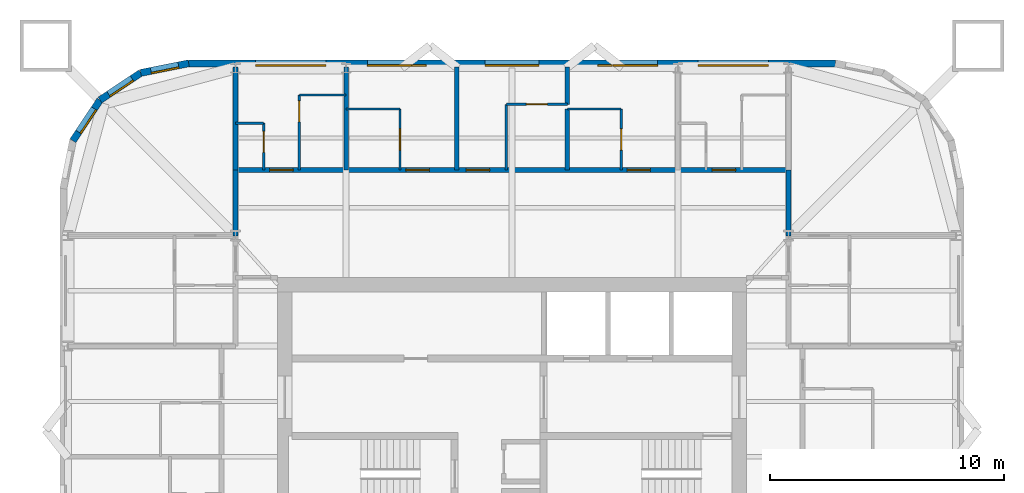
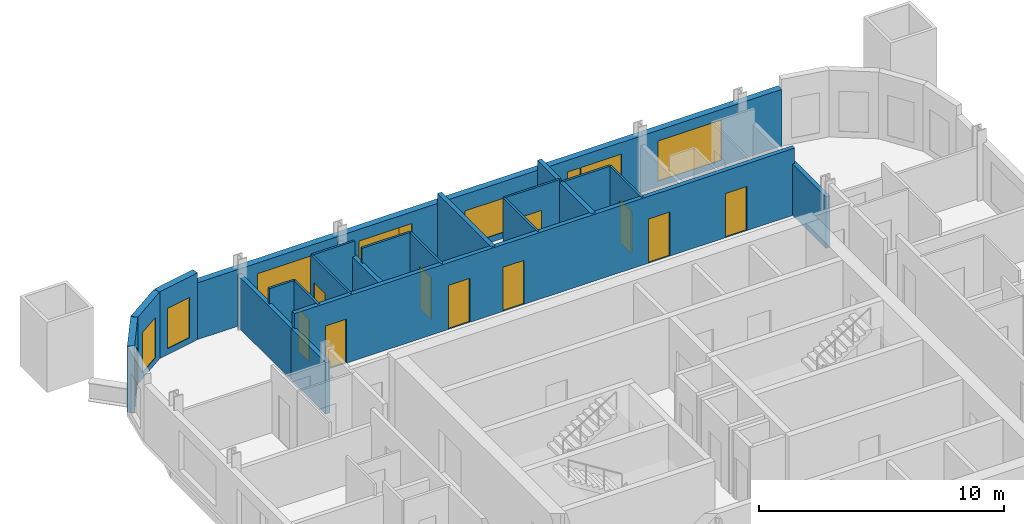
# One storey, part 7 of 9: 22 walls, 10 doors, 10 windows, 20 openings.
"""IFC4 building model written with IfcOpenShell, lengths in metres."""

from ifc_helpers import new_model, si_unit, direction, frame, frame_2d, origin, place, context, subcontext, project, spatial, rectangle, extrude, material, layer, layer_set, type_object, element, fill, save


model = new_model("IFC4")

# Units and contexts
model_context = context("Model", 3, precision=1e-05, world=origin(), true_north=direction((0.0, 1.0)))
body_context = subcontext(model_context, "Body", "Model", "MODEL_VIEW")
ifc_project = project(units=[si_unit("LENGTHUNIT", "METRE"), si_unit("AREAUNIT", "SQUARE_METRE"), si_unit("VOLUMEUNIT", "CUBIC_METRE"), si_unit("PLANEANGLEUNIT", "RADIAN"), si_unit("MASSUNIT", "GRAM", prefix="KILO")], contexts=[model_context])

# Site, building, storey
site_placement = place(None, origin())
site = spatial("IfcSite", under=ifc_project, at=site_placement, CompositionType="ELEMENT")
building_placement = place(site_placement, origin())
building = spatial("IfcBuilding", under=site, at=building_placement, Name="Turquesa Mirador Hotel Tower", CompositionType="ELEMENT")
storey_placement = place(building_placement, frame((0.0, 0.0, 186.300048828125)))
storey = spatial("IfcBuildingStorey", under=building, at=storey_placement, Name="L50", CompositionType="ELEMENT", Elevation=186.300048828125)

# Walls
ifc_material_1 = material(Name="Gypsum board on steel studs", Category="steel")
ifc_layer_1 = layer(ifc_material_1, 0.10009765625)
ifc_layer_set_1 = layer_set([ifc_layer_1], Name="BATHROOM WALL 100")
wall_type_1 = type_object("IfcWallType", Name="BATHROOM WALL 100", PredefinedType="PARTITIONING", material=ifc_layer_set_1)
wall_1_placement = place(storey_placement, frame((43.199951171875, 61.60009765625, 0.0), z_axis=(0.0, 0.0, 1.0), x_axis=(1.0, 0.0, 0.0)))
element("IfcWall", 1, at=wall_1_placement, inside=storey, type_object=wall_type_1, Name="Partition L50 024", PredefinedType="PARTITIONING", context=body_context, shape_type="SweptSolid", body=[
    extrude(rectangle(XDim=1.199951171875, YDim=0.10009765625, at=frame_2d((0.60009765625, 0.0))), origin(), (0.0, 0.0, 1.0), 3.329833984375),
])
wall_2_placement = place(storey_placement, frame((47.919921875, 62.199951171875, 0.0), z_axis=(0.0, 0.0, 1.0), x_axis=(1.0, 0.0, 0.0)))
element("IfcWall", 2, at=wall_2_placement, inside=storey, type_object=wall_type_1, Name="Partition L50 026", PredefinedType="PARTITIONING", context=body_context, shape_type="SweptSolid", body=[
    extrude(rectangle(XDim=2.300048828125, YDim=0.10009765625, at=frame_2d((1.14990234375, 0.0))), origin(), (0.0, 0.0, 1.0), 3.329833984375),
])
wall_3_placement = place(storey_placement, frame((57.360107421875, 62.199951171875, 0.0), z_axis=(0.0, 0.0, 1.0), x_axis=(1.0, 0.0, 0.0)))
element("IfcWall", 3, at=wall_3_placement, inside=storey, type_object=wall_type_1, Name="Partition L50 027", PredefinedType="PARTITIONING", context=body_context, shape_type="SweptSolid", body=[
    extrude(rectangle(XDim=2.2998046875, YDim=0.10009765625, at=frame_2d((1.14990234375, 0.0))), origin(), (0.0, 0.0, 1.0), 3.329833984375),
])

# Wall, opening, door
wall_4_placement = place(storey_placement, frame((54.760009765625, 62.39990234375, 0.0), z_axis=(0.0, 0.0, 1.0), x_axis=(1.0, 0.0, 0.0)))
wall_4 = element("IfcWall", 4, at=wall_4_placement, inside=storey, type_object=wall_type_1, Name="Partition L50 028", PredefinedType="PARTITIONING", context=body_context, shape_type="SweptSolid", body=[
    extrude(rectangle(XDim=2.60009765625, YDim=0.10009765625, at=frame_2d((1.300048828125, 0.0))), origin(), (0.0, 0.0, 1.0), 3.329833984375),
])
opening_1_placement = place(wall_4_placement, frame((0.85009765625, 0.0, 0.0)))
opening_1 = element("IfcOpeningElement", 5, at=opening_1_placement, cuts=wall_4, Name="Opening D02", PredefinedType="OPENING", context=body_context, shape_type="SweptSolid", body=[
    extrude(rectangle(XDim=0.89990234375, YDim=2.10009765625, at=frame_2d((0.449951171875, 1.050048828125))), frame((0.0, 0.06005859375, 0.0), z_axis=(0.0, -1.0, 0.0), x_axis=(1.0, 0.0, 0.0)), (0.0, 0.0, 1.0), 0.1201171875),
])
ifc_material_2 = material(Name="Timber veneered door", Category="wood")
door_type_1 = type_object("IfcDoorType", Name="DOOR 900X2100 EN-SUITE", OperationType="SINGLE_SWING_RIGHT", PredefinedType="DOOR", material=ifc_material_2)
door_1_placement = place(opening_1_placement, origin())
door_1 = element("IfcDoor", 6, at=door_1_placement, inside=storey, type_object=door_type_1, Name="Door 5003B", OperationType="SINGLE_SWING_RIGHT", OverallHeight=2.10009765625, OverallWidth=0.89990234375, PredefinedType="DOOR", context=body_context, shape_type="SweptSolid", body=[
    extrude(rectangle(XDim=0.89990234375, YDim=2.10009765625, at=frame_2d((0.449951171875, 1.050048828125))), frame((0.0, 0.02490234375, 0.0), z_axis=(0.0, -1.0, 0.0), x_axis=(1.0, 0.0, 0.0)), (0.0, 0.0, 1.0), 0.050048828125),
])
fill(opening_1, door_1)

# Walls
wall_5_placement = place(storey_placement, frame((45.919921875, 62.800048828125, 0.0), z_axis=(0.0, 0.0, 1.0), x_axis=(1.0, 0.0, 0.0)))
element("IfcWall", 7, at=wall_5_placement, inside=storey, type_object=wall_type_1, Name="Partition L50 029", PredefinedType="PARTITIONING", context=body_context, shape_type="SweptSolid", body=[
    extrude(rectangle(XDim=2.0, YDim=0.10009765625, at=frame_2d((1.0, 0.0))), origin(), (0.0, 0.0, 1.0), 3.329833984375),
])
wall_6_placement = place(storey_placement, frame((54.760009765625, 59.60009765625, 0.0), z_axis=(0.0, 0.0, 1.0), x_axis=(0.0, 1.0, 0.0)))
element("IfcWall", 8, at=wall_6_placement, inside=storey, type_object=wall_type_1, Name="Partition L50 042", PredefinedType="PARTITIONING", context=body_context, shape_type="SweptSolid", body=[
    extrude(rectangle(XDim=2.7998046875, YDim=0.10009765625, at=frame_2d((1.39990234375, 0.0))), origin(), (0.0, 0.0, 1.0), 3.329833984375),
])

# Wall, opening, door
wall_7_placement = place(storey_placement, frame((44.39990234375, 59.60009765625, 0.0), z_axis=(0.0, 0.0, 1.0), x_axis=(0.0, 1.0, 0.0)))
wall_7 = element("IfcWall", 9, at=wall_7_placement, inside=storey, type_object=wall_type_1, Name="Partition L50 043", PredefinedType="PARTITIONING", context=body_context, shape_type="SweptSolid", body=[
    extrude(rectangle(XDim=2.0, YDim=0.10009765625, at=frame_2d((1.0, 0.0))), origin(), (0.0, 0.0, 1.0), 3.329833984375),
])
opening_2_placement = place(wall_7_placement, frame((0.75, 0.0, 0.0)))
opening_2 = element("IfcOpeningElement", 10, at=opening_2_placement, cuts=wall_7, Name="Opening D06", PredefinedType="OPENING", context=body_context, shape_type="SweptSolid", body=[
    extrude(rectangle(XDim=0.89990234375, YDim=2.10009765625, at=frame_2d((0.449951171875, 1.050048828125))), frame((0.0, 0.06005859375, 0.0), z_axis=(0.0, -1.0, 0.0), x_axis=(1.0, 0.0, 0.0)), (0.0, 0.0, 1.0), 0.1201171875),
])
ifc_material_3 = material(Name="Laminate door", Category="wood")
door_type_2 = type_object("IfcDoorType", Name="DOOR 900X2100 WC", OperationType="SINGLE_SWING_LEFT", PredefinedType="DOOR", material=ifc_material_3)
door_2_placement = place(opening_2_placement, origin())
door_2 = element("IfcDoor", 11, at=door_2_placement, inside=storey, type_object=door_type_2, Name="Door 5001W", OperationType="SINGLE_SWING_LEFT", OverallHeight=2.10009765625, OverallWidth=0.89990234375, PredefinedType="DOOR", context=body_context, shape_type="SweptSolid", body=[
    extrude(rectangle(XDim=0.89990234375, YDim=2.10009765625, at=frame_2d((0.449951171875, 1.050048828125))), frame((0.0, 0.02490234375, 0.0), z_axis=(0.0, -1.0, 0.0), x_axis=(1.0, 0.0, 0.0)), (0.0, 0.0, 1.0), 0.050048828125),
])
fill(opening_2, door_2)

wall_8_placement = place(storey_placement, frame((50.219970703125, 59.60009765625, 0.0), z_axis=(0.0, 0.0, 1.0), x_axis=(0.0, 1.0, 0.0)))
wall_8 = element("IfcWall", 12, at=wall_8_placement, inside=storey, type_object=wall_type_1, Name="Partition L50 059", PredefinedType="PARTITIONING", context=body_context, shape_type="SweptSolid", body=[
    extrude(rectangle(XDim=2.599853515625, YDim=0.10009765625, at=frame_2d((1.2998046875, 0.0))), origin(), (0.0, 0.0, 1.0), 3.329833984375),
])
opening_3_placement = place(wall_8_placement, frame((0.85009765625, 0.0, 0.0)))
opening_3 = element("IfcOpeningElement", 13, at=opening_3_placement, cuts=wall_8, Name="Opening D02", PredefinedType="OPENING", context=body_context, shape_type="SweptSolid", body=[
    extrude(rectangle(XDim=0.89990234375, YDim=2.10009765625, at=frame_2d((0.449951171875, 1.050048828125))), frame((0.0, 0.06005859375, 0.0), z_axis=(0.0, -1.0, 0.0), x_axis=(1.0, 0.0, 0.0)), (0.0, 0.0, 1.0), 0.1201171875),
])
door_3_placement = place(opening_3_placement, origin())
door_3 = element("IfcDoor", 14, at=door_3_placement, inside=storey, type_object=door_type_1, Name="Door 5002B", OperationType="SINGLE_SWING_RIGHT", OverallHeight=2.10009765625, OverallWidth=0.89990234375, PredefinedType="DOOR", context=body_context, shape_type="SweptSolid", body=[
    extrude(rectangle(XDim=0.89990234375, YDim=2.10009765625, at=frame_2d((0.449951171875, 1.050048828125))), frame((0.0, 0.02490234375, 0.0), z_axis=(0.0, -1.0, 0.0), x_axis=(1.0, 0.0, 0.0)), (0.0, 0.0, 1.0), 0.050048828125),
])
fill(opening_3, door_3)

wall_9_placement = place(storey_placement, frame((45.919921875, 59.60009765625, 0.0), z_axis=(0.0, 0.0, 1.0), x_axis=(0.0, 1.0, 0.0)))
wall_9 = element("IfcWall", 15, at=wall_9_placement, inside=storey, type_object=wall_type_1, Name="Partition L50 061", PredefinedType="PARTITIONING", context=body_context, shape_type="SweptSolid", body=[
    extrude(rectangle(XDim=3.199951171875, YDim=0.10009765625, at=frame_2d((1.60009765625, 0.0))), origin(), (0.0, 0.0, 1.0), 3.329833984375),
])
opening_4_placement = place(wall_9_placement, frame((2.050048828125, 0.0, 0.0)))
opening_4 = element("IfcOpeningElement", 16, at=opening_4_placement, cuts=wall_9, Name="Opening D02", PredefinedType="OPENING", context=body_context, shape_type="SweptSolid", body=[
    extrude(rectangle(XDim=0.89990234375, YDim=2.10009765625, at=frame_2d((0.449951171875, 1.050048828125))), frame((0.0, 0.06005859375, 0.0), z_axis=(0.0, -1.0, 0.0), x_axis=(1.0, 0.0, 0.0)), (0.0, 0.0, 1.0), 0.1201171875),
])
door_4_placement = place(opening_4_placement, origin())
door_4 = element("IfcDoor", 17, at=door_4_placement, inside=storey, type_object=door_type_1, Name="Door 5001B", OperationType="SINGLE_SWING_RIGHT", OverallHeight=2.10009765625, OverallWidth=0.89990234375, PredefinedType="DOOR", context=body_context, shape_type="SweptSolid", body=[
    extrude(rectangle(XDim=0.89990234375, YDim=2.10009765625, at=frame_2d((0.449951171875, 1.050048828125))), frame((0.0, 0.02490234375, 0.0), z_axis=(0.0, -1.0, 0.0), x_axis=(1.0, 0.0, 0.0)), (0.0, 0.0, 1.0), 0.050048828125),
])
fill(opening_4, door_4)

wall_10_placement = place(storey_placement, frame((59.659912109375, 59.60009765625, 0.0), z_axis=(0.0, 0.0, 1.0), x_axis=(0.0, 1.0, 0.0)))
wall_10 = element("IfcWall", 18, at=wall_10_placement, inside=storey, type_object=wall_type_1, Name="Partition L50 079", PredefinedType="PARTITIONING", context=body_context, shape_type="SweptSolid", body=[
    extrude(rectangle(XDim=2.599853515625, YDim=0.10009765625, at=frame_2d((1.2998046875, 0.0))), origin(), (0.0, 0.0, 1.0), 3.329833984375),
])
opening_5_placement = place(wall_10_placement, frame((0.85009765625, 0.0, 0.0)))
opening_5 = element("IfcOpeningElement", 19, at=opening_5_placement, cuts=wall_10, Name="Opening D02", PredefinedType="OPENING", context=body_context, shape_type="SweptSolid", body=[
    extrude(rectangle(XDim=0.89990234375, YDim=2.10009765625, at=frame_2d((0.449951171875, 1.050048828125))), frame((0.0, 0.06005859375, 0.0), z_axis=(0.0, -1.0, 0.0), x_axis=(1.0, 0.0, 0.0)), (0.0, 0.0, 1.0), 0.1201171875),
])
door_5_placement = place(opening_5_placement, origin())
door_5 = element("IfcDoor", 20, at=door_5_placement, inside=storey, type_object=door_type_1, Name="Door 5004B", OperationType="SINGLE_SWING_RIGHT", OverallHeight=2.10009765625, OverallWidth=0.89990234375, PredefinedType="DOOR", context=body_context, shape_type="SweptSolid", body=[
    extrude(rectangle(XDim=0.89990234375, YDim=2.10009765625, at=frame_2d((0.449951171875, 1.050048828125))), frame((0.0, 0.02490234375, 0.0), z_axis=(0.0, -1.0, 0.0), x_axis=(1.0, 0.0, 0.0)), (0.0, 0.0, 1.0), 0.050048828125),
])
fill(opening_5, door_5)

# Wall, openings, doors
ifc_material_4 = material(Name="Fire-rated gypsum board on steel studs", Category="steel")
ifc_layer_2 = layer(ifc_material_4, 0.199951171875)
ifc_layer_set_2 = layer_set([ifc_layer_2], Name="CORRIDOR WALL 200")
wall_type_2 = type_object("IfcWallType", Name="CORRIDOR WALL 200", PredefinedType="PARTITIONING", material=ifc_layer_set_2)
wall_11_placement = place(storey_placement, frame((43.199951171875, 59.60009765625, 0.0), z_axis=(0.0, 0.0, 1.0), x_axis=(1.0, 0.0, 0.0)))
wall_11 = element("IfcWall", 21, at=wall_11_placement, inside=storey, type_object=wall_type_2, Name="Partition L50 023", PredefinedType="PARTITIONING", context=body_context, shape_type="SweptSolid", body=[
    extrude(rectangle(XDim=23.60009765625, YDim=0.199951171875, at=frame_2d((11.800048828125, 0.0))), origin(), (0.0, 0.0, 1.0), 3.329833984375),
])
opening_6_placement = place(wall_11_placement, frame((1.4599609375, 0.0, 0.0)))
opening_6 = element("IfcOpeningElement", 22, at=opening_6_placement, cuts=wall_11, Name="Opening D01", PredefinedType="OPENING", context=body_context, shape_type="SweptSolid", body=[
    extrude(rectangle(XDim=1.0, YDim=2.199951171875, at=frame_2d((0.5, 1.10009765625))), frame((0.0, 0.10986328125, 0.0), z_axis=(0.0, -1.0, 0.0), x_axis=(1.0, 0.0, 0.0)), (0.0, 0.0, 1.0), 0.219970703125),
])
opening_7_placement = place(wall_11_placement, frame((7.27001953125, 0.0, 0.0)))
opening_7 = element("IfcOpeningElement", 23, at=opening_7_placement, cuts=wall_11, Name="Opening D01", PredefinedType="OPENING", context=body_context, shape_type="SweptSolid", body=[
    extrude(rectangle(XDim=1.0, YDim=2.199951171875, at=frame_2d((0.5, 1.10009765625))), frame((0.0, 0.10986328125, 0.0), z_axis=(0.0, -1.0, 0.0), x_axis=(1.0, 0.0, 0.0)), (0.0, 0.0, 1.0), 0.219970703125),
])
opening_8_placement = place(wall_11_placement, frame((9.840087890625, 0.0, 0.0)))
opening_8 = element("IfcOpeningElement", 24, at=opening_8_placement, cuts=wall_11, Name="Opening D01", PredefinedType="OPENING", context=body_context, shape_type="SweptSolid", body=[
    extrude(rectangle(XDim=1.0, YDim=2.199951171875, at=frame_2d((0.5, 1.10009765625))), frame((0.0, 0.10986328125, 0.0), z_axis=(0.0, -1.0, 0.0), x_axis=(1.0, 0.0, 0.0)), (0.0, 0.0, 1.0), 0.219970703125),
])
opening_9_placement = place(wall_11_placement, frame((16.7099609375, 0.0, 0.0)))
opening_9 = element("IfcOpeningElement", 25, at=opening_9_placement, cuts=wall_11, Name="Opening D01", PredefinedType="OPENING", context=body_context, shape_type="SweptSolid", body=[
    extrude(rectangle(XDim=1.0, YDim=2.199951171875, at=frame_2d((0.5, 1.10009765625))), frame((0.0, 0.10986328125, 0.0), z_axis=(0.0, -1.0, 0.0), x_axis=(1.0, 0.0, 0.0)), (0.0, 0.0, 1.0), 0.219970703125),
])
opening_10_placement = place(wall_11_placement, frame((20.340087890625, 0.0, 0.0)))
opening_10 = element("IfcOpeningElement", 26, at=opening_10_placement, cuts=wall_11, Name="Opening D01", PredefinedType="OPENING", context=body_context, shape_type="SweptSolid", body=[
    extrude(rectangle(XDim=1.0, YDim=2.199951171875, at=frame_2d((0.5, 1.10009765625))), frame((0.0, 0.10986328125, 0.0), z_axis=(0.0, -1.0, 0.0), x_axis=(1.0, 0.0, 0.0)), (0.0, 0.0, 1.0), 0.219970703125),
])
ifc_material_5 = material(Name="Timber veneered fire door", Category="wood")
door_type_3 = type_object("IfcDoorType", Name="DOOR 1000X2200 GUEST ENTRY", OperationType="SINGLE_SWING_LEFT", PredefinedType="DOOR", material=ifc_material_5)
door_6_placement = place(opening_6_placement, origin())
door_6 = element("IfcDoor", 27, at=door_6_placement, inside=storey, type_object=door_type_3, Name="Door 5001", OperationType="SINGLE_SWING_LEFT", OverallHeight=2.199951171875, OverallWidth=1.0, PredefinedType="DOOR", context=body_context, shape_type="SweptSolid", body=[
    extrude(rectangle(XDim=1.0, YDim=2.199951171875, at=frame_2d((0.5, 1.10009765625))), frame((0.0, 0.02490234375, 0.0), z_axis=(0.0, -1.0, 0.0), x_axis=(1.0, 0.0, 0.0)), (0.0, 0.0, 1.0), 0.050048828125),
])
fill(opening_6, door_6)
door_7_placement = place(opening_7_placement, origin())
door_7 = element("IfcDoor", 28, at=door_7_placement, inside=storey, type_object=door_type_3, Name="Door 5002", OperationType="SINGLE_SWING_LEFT", OverallHeight=2.199951171875, OverallWidth=1.0, PredefinedType="DOOR", context=body_context, shape_type="SweptSolid", body=[
    extrude(rectangle(XDim=1.0, YDim=2.199951171875, at=frame_2d((0.5, 1.10009765625))), frame((0.0, 0.02490234375, 0.0), z_axis=(0.0, -1.0, 0.0), x_axis=(1.0, 0.0, 0.0)), (0.0, 0.0, 1.0), 0.050048828125),
])
fill(opening_7, door_7)
door_8_placement = place(opening_8_placement, origin())
door_8 = element("IfcDoor", 29, at=door_8_placement, inside=storey, type_object=door_type_3, Name="Door 5003", OperationType="SINGLE_SWING_LEFT", OverallHeight=2.199951171875, OverallWidth=1.0, PredefinedType="DOOR", context=body_context, shape_type="SweptSolid", body=[
    extrude(rectangle(XDim=1.0, YDim=2.199951171875, at=frame_2d((0.5, 1.10009765625))), frame((0.0, 0.02490234375, 0.0), z_axis=(0.0, -1.0, 0.0), x_axis=(1.0, 0.0, 0.0)), (0.0, 0.0, 1.0), 0.050048828125),
])
fill(opening_8, door_8)
door_9_placement = place(opening_9_placement, origin())
door_9 = element("IfcDoor", 30, at=door_9_placement, inside=storey, type_object=door_type_3, Name="Door 5004", OperationType="SINGLE_SWING_LEFT", OverallHeight=2.199951171875, OverallWidth=1.0, PredefinedType="DOOR", context=body_context, shape_type="SweptSolid", body=[
    extrude(rectangle(XDim=1.0, YDim=2.199951171875, at=frame_2d((0.5, 1.10009765625))), frame((0.0, 0.02490234375, 0.0), z_axis=(0.0, -1.0, 0.0), x_axis=(1.0, 0.0, 0.0)), (0.0, 0.0, 1.0), 0.050048828125),
])
fill(opening_9, door_9)
door_10_placement = place(opening_10_placement, origin())
door_10 = element("IfcDoor", 31, at=door_10_placement, inside=storey, type_object=door_type_3, Name="Door 5005", OperationType="SINGLE_SWING_LEFT", OverallHeight=2.199951171875, OverallWidth=1.0, PredefinedType="DOOR", context=body_context, shape_type="SweptSolid", body=[
    extrude(rectangle(XDim=1.0, YDim=2.199951171875, at=frame_2d((0.5, 1.10009765625))), frame((0.0, 0.02490234375, 0.0), z_axis=(0.0, -1.0, 0.0), x_axis=(1.0, 0.0, 0.0)), (0.0, 0.0, 1.0), 0.050048828125),
])
fill(opening_10, door_10)

# Walls
for number, where, z_axis, x_axis, name in (
    (32, (43.199951171875, 56.780029296875, 0.0), (0.0, 0.0, 1.0), (0.0, 1.0, 0.0), "Partition L50 085"),
    (33, (66.800048828125, 56.780029296875, 0.0), (0.0, 0.0, 1.0), (0.0, 1.0, 0.0), "Partition L50 086"),
):
    element("IfcWall", number, at=place(storey_placement, frame(where, z_axis=z_axis, x_axis=x_axis)), inside=storey, type_object=wall_type_2, Name=name, PredefinedType="PARTITIONING", context=body_context, shape_type="SweptSolid", body=[
        extrude(rectangle(XDim=2.820068359375, YDim=0.199951171875, at=frame_2d((1.41015625, 0.0))), origin(), (0.0, 0.0, 1.0), 2.572998046875),
    ])

# Wall, openings, windows
ifc_material_6 = material(Name="Limestone cladding on concrete block", Category="masonry")
ifc_layer_3 = layer(ifc_material_6, 0.300048828125)
ifc_layer_set_3 = layer_set([ifc_layer_3], Name="FACADE WALL 300 STONE SCREEN")
wall_type_3 = type_object("IfcWallType", Name="FACADE WALL 300 STONE SCREEN", PredefinedType="SOLIDWALL", material=ifc_layer_set_3)
wall_12_placement = place(storey_placement, frame((68.800048828125, 64.14990234375, 0.0), z_axis=(0.0, 0.0, 1.0), x_axis=(-1.0, 0.0, 0.0)))
wall_12 = element("IfcWall", 34, at=wall_12_placement, inside=storey, type_object=wall_type_3, Name="Facade wall L50 09", PredefinedType="SOLIDWALL", context=body_context, shape_type="SweptSolid", body=[
    extrude(rectangle(XDim=27.60009765625, YDim=0.300048828125, at=frame_2d((13.800048828125, 0.0))), origin(), (0.0, 0.0, 1.0), 2.829833984375),
])
opening_11_placement = place(wall_12_placement, frame((2.860107421875, 0.0, 0.300048828125)))
opening_11 = element("IfcOpeningElement", 35, at=opening_11_placement, cuts=wall_12, Name="Opening WN1", PredefinedType="OPENING", context=body_context, shape_type="SweptSolid", body=[
    extrude(rectangle(XDim=3.0, YDim=2.0, at=frame_2d((1.5, 1.0))), frame((0.0, 0.159912109375, 0.0), z_axis=(0.0, -1.0, 0.0), x_axis=(1.0, 0.0, 0.0)), (0.0, 0.0, 1.0), 0.320068359375),
])
opening_12_placement = place(wall_12_placement, frame((7.580078125, 0.0, 0.35009765625)))
opening_12 = element("IfcOpeningElement", 36, at=opening_12_placement, cuts=wall_12, Name="Opening WN48", PredefinedType="OPENING", context=body_context, shape_type="SweptSolid", body=[
    extrude(rectangle(XDim=1.89990234375, YDim=1.89990234375, at=frame_2d((0.949951171875, 0.949951171875))), frame((0.0, 0.159912109375, 0.0), z_axis=(0.0, -1.0, 0.0), x_axis=(1.0, 0.0, 0.0)), (0.0, 0.0, 1.0), 0.320068359375),
])
opening_13_placement = place(wall_12_placement, frame((12.64990234375, 0.0, 0.300048828125)))
opening_13 = element("IfcOpeningElement", 37, at=opening_13_placement, cuts=wall_12, Name="Opening WN51", PredefinedType="OPENING", context=body_context, shape_type="SweptSolid", body=[
    extrude(rectangle(XDim=2.300048828125, YDim=1.699951171875, at=frame_2d((1.14990234375, 0.85009765625))), frame((0.0, 0.159912109375, 0.0), z_axis=(0.0, -1.0, 0.0), x_axis=(1.0, 0.0, 0.0)), (0.0, 0.0, 1.0), 0.320068359375),
])
opening_14_placement = place(wall_12_placement, frame((18.070068359375, 0.0, 0.35009765625)))
opening_14 = element("IfcOpeningElement", 38, at=opening_14_placement, cuts=wall_12, Name="Opening WN48", PredefinedType="OPENING", context=body_context, shape_type="SweptSolid", body=[
    extrude(rectangle(XDim=1.89990234375, YDim=1.89990234375, at=frame_2d((0.949951171875, 0.949951171875))), frame((0.0, 0.159912109375, 0.0), z_axis=(0.0, -1.0, 0.0), x_axis=(1.0, 0.0, 0.0)), (0.0, 0.0, 1.0), 0.320068359375),
])
opening_15_placement = place(wall_12_placement, frame((21.739990234375, 0.0, 0.300048828125)))
opening_15 = element("IfcOpeningElement", 39, at=opening_15_placement, cuts=wall_12, Name="Opening WN1", PredefinedType="OPENING", context=body_context, shape_type="SweptSolid", body=[
    extrude(rectangle(XDim=3.0, YDim=2.0, at=frame_2d((1.5, 1.0))), frame((0.0, 0.159912109375, 0.0), z_axis=(0.0, -1.0, 0.0), x_axis=(1.0, 0.0, 0.0)), (0.0, 0.0, 1.0), 0.320068359375),
])
opening_16_placement = place(wall_12_placement, frame((9.530029296875, 0.0, 1.25)))
opening_16 = element("IfcOpeningElement", 40, at=opening_16_placement, cuts=wall_12, Name="Opening WN29", PredefinedType="OPENING", context=body_context, shape_type="SweptSolid", body=[
    extrude(rectangle(XDim=0.60009765625, YDim=1.0, at=frame_2d((0.300048828125, 0.5))), frame((0.0, 0.159912109375, 0.0), z_axis=(0.0, -1.0, 0.0), x_axis=(1.0, 0.0, 0.0)), (0.0, 0.0, 1.0), 0.320068359375),
])
opening_17_placement = place(wall_12_placement, frame((17.469970703125, 0.0, 1.25)))
opening_17 = element("IfcOpeningElement", 41, at=opening_17_placement, cuts=wall_12, Name="Opening WN29", PredefinedType="OPENING", context=body_context, shape_type="SweptSolid", body=[
    extrude(rectangle(XDim=0.60009765625, YDim=1.0, at=frame_2d((0.300048828125, 0.5))), frame((0.0, 0.159912109375, 0.0), z_axis=(0.0, -1.0, 0.0), x_axis=(1.0, 0.0, 0.0)), (0.0, 0.0, 1.0), 0.320068359375),
])
ifc_material_7 = material(Name="Ceramic-fritted laminated glass", Category="glass")
window_type_1 = type_object("IfcWindowType", Name="FRITTED WINDOW 1900X1900", PartitioningType="DOUBLE_PANEL_HORIZONTAL", PredefinedType="WINDOW", material=ifc_material_7)
window_1_placement = place(opening_12_placement, origin())
window_1 = element("IfcWindow", 42, at=window_1_placement, inside=storey, type_object=window_type_1, Name="Window L50", OverallHeight=1.89990234375, OverallWidth=1.89990234375, PartitioningType="SINGLE_PANEL", PredefinedType="WINDOW", context=body_context, shape_type="SweptSolid", body=[
    extrude(rectangle(XDim=1.89990234375, YDim=1.89990234375, at=frame_2d((0.949951171875, 0.949951171875))), frame((0.0, 0.130126953125, 0.0), z_axis=(0.0, -1.0, 0.0), x_axis=(1.0, 0.0, 0.0)), (0.0, 0.0, 1.0), 0.06005859375),
])
fill(opening_12, window_1)
window_2_placement = place(opening_14_placement, origin())
window_2 = element("IfcWindow", 43, at=window_2_placement, inside=storey, type_object=window_type_1, Name="Window L50", OverallHeight=1.89990234375, OverallWidth=1.89990234375, PartitioningType="SINGLE_PANEL", PredefinedType="WINDOW", context=body_context, shape_type="SweptSolid", body=[
    extrude(rectangle(XDim=1.89990234375, YDim=1.89990234375, at=frame_2d((0.949951171875, 0.949951171875))), frame((0.0, 0.130126953125, 0.0), z_axis=(0.0, -1.0, 0.0), x_axis=(1.0, 0.0, 0.0)), (0.0, 0.0, 1.0), 0.06005859375),
])
fill(opening_14, window_2)
ifc_material_8 = material(Name="Ceramic-fritted laminated glass", Category="glass")
window_type_2 = type_object("IfcWindowType", Name="FRITTED WINDOW 2300X1700", PartitioningType="DOUBLE_PANEL_HORIZONTAL", PredefinedType="WINDOW", material=ifc_material_8)
window_3_placement = place(opening_13_placement, origin())
window_3 = element("IfcWindow", 44, at=window_3_placement, inside=storey, type_object=window_type_2, Name="Window L50", OverallHeight=1.699951171875, OverallWidth=2.300048828125, PartitioningType="SINGLE_PANEL", PredefinedType="WINDOW", context=body_context, shape_type="SweptSolid", body=[
    extrude(rectangle(XDim=2.300048828125, YDim=1.699951171875, at=frame_2d((1.14990234375, 0.85009765625))), frame((0.0, 0.130126953125, 0.0), z_axis=(0.0, -1.0, 0.0), x_axis=(1.0, 0.0, 0.0)), (0.0, 0.0, 1.0), 0.06005859375),
])
fill(opening_13, window_3)
ifc_material_9 = material(Name="Ceramic-fritted laminated glass", Category="glass")
window_type_3 = type_object("IfcWindowType", Name="FRITTED WINDOW 3000X2000", PartitioningType="DOUBLE_PANEL_HORIZONTAL", PredefinedType="WINDOW", material=ifc_material_9)
window_4_placement = place(opening_11_placement, origin())
window_4 = element("IfcWindow", 45, at=window_4_placement, inside=storey, type_object=window_type_3, Name="Window L50", OverallHeight=2.0, OverallWidth=3.0, PartitioningType="SINGLE_PANEL", PredefinedType="WINDOW", context=body_context, shape_type="SweptSolid", body=[
    extrude(rectangle(XDim=3.0, YDim=2.0, at=frame_2d((1.5, 1.0))), frame((0.0, 0.130126953125, 0.0), z_axis=(0.0, -1.0, 0.0), x_axis=(1.0, 0.0, 0.0)), (0.0, 0.0, 1.0), 0.06005859375),
])
fill(opening_11, window_4)
window_5_placement = place(opening_15_placement, origin())
window_5 = element("IfcWindow", 46, at=window_5_placement, inside=storey, type_object=window_type_3, Name="Window L50", OverallHeight=2.0, OverallWidth=3.0, PartitioningType="SINGLE_PANEL", PredefinedType="WINDOW", context=body_context, shape_type="SweptSolid", body=[
    extrude(rectangle(XDim=3.0, YDim=2.0, at=frame_2d((1.5, 1.0))), frame((0.0, 0.130126953125, 0.0), z_axis=(0.0, -1.0, 0.0), x_axis=(1.0, 0.0, 0.0)), (0.0, 0.0, 1.0), 0.06005859375),
])
fill(opening_15, window_5)
ifc_material_10 = material(Name="Ceramic-fritted laminated glass", Category="glass")
window_type_4 = type_object("IfcWindowType", Name="FRITTED WINDOW 600X1000", PartitioningType="DOUBLE_PANEL_HORIZONTAL", PredefinedType="WINDOW", material=ifc_material_10)
window_6_placement = place(opening_16_placement, origin())
window_6 = element("IfcWindow", 47, at=window_6_placement, inside=storey, type_object=window_type_4, Name="Window L50", OverallHeight=1.0, OverallWidth=0.60009765625, PartitioningType="SINGLE_PANEL", PredefinedType="WINDOW", context=body_context, shape_type="SweptSolid", body=[
    extrude(rectangle(XDim=0.60009765625, YDim=1.0, at=frame_2d((0.300048828125, 0.5))), frame((0.0, 0.130126953125, 0.0), z_axis=(0.0, -1.0, 0.0), x_axis=(1.0, 0.0, 0.0)), (0.0, 0.0, 1.0), 0.06005859375),
])
fill(opening_16, window_6)
window_7_placement = place(opening_17_placement, origin())
window_7 = element("IfcWindow", 48, at=window_7_placement, inside=storey, type_object=window_type_4, Name="Window L50", OverallHeight=1.0, OverallWidth=0.60009765625, PartitioningType="SINGLE_PANEL", PredefinedType="WINDOW", context=body_context, shape_type="SweptSolid", body=[
    extrude(rectangle(XDim=0.60009765625, YDim=1.0, at=frame_2d((0.300048828125, 0.5))), frame((0.0, 0.130126953125, 0.0), z_axis=(0.0, -1.0, 0.0), x_axis=(1.0, 0.0, 0.0)), (0.0, 0.0, 1.0), 0.06005859375),
])
fill(opening_17, window_7)

# Wall, opening, window
wall_13_placement = place(storey_placement, frame((41.199951171875, 64.14990234375, 0.0), z_axis=(0.0, 0.0, 1.0), x_axis=(-0.980787050784, -0.195081421501, 0.0)))
wall_13 = element("IfcWall", 49, at=wall_13_placement, inside=storey, type_object=wall_type_3, Name="Facade wall L50 10", PredefinedType="SOLIDWALL", context=body_context, shape_type="SweptSolid", body=[
    extrude(rectangle(XDim=2.08740234375, YDim=0.300048828125, at=frame_2d((1.043701171875, 0.0))), origin(), (0.0, 0.0, 1.0), 3.329833984375),
])
opening_18_placement = place(wall_13_placement, frame((0.443603515625, 0.0, 0.300048828125)))
opening_18 = element("IfcOpeningElement", 50, at=opening_18_placement, cuts=wall_13, Name="Opening WN4", PredefinedType="OPENING", context=body_context, shape_type="SweptSolid", body=[
    extrude(rectangle(XDim=1.199951171875, YDim=2.0, at=frame_2d((0.60009765625, 1.0))), frame((0.0, 0.159912109375, 0.0), z_axis=(0.0, -1.0, 0.0), x_axis=(1.0, 0.0, 0.0)), (0.0, 0.0, 1.0), 0.320068359375),
])
ifc_material_11 = material(Name="Ceramic-fritted laminated glass", Category="glass")
window_type_5 = type_object("IfcWindowType", Name="FRITTED CORNER WINDOW 1200X2000", PartitioningType="DOUBLE_PANEL_HORIZONTAL", PredefinedType="WINDOW", material=ifc_material_11)
window_8_placement = place(opening_18_placement, origin())
window_8 = element("IfcWindow", 51, at=window_8_placement, inside=storey, type_object=window_type_5, Name="Window L50", OverallHeight=2.0, OverallWidth=1.199951171875, PartitioningType="SINGLE_PANEL", PredefinedType="WINDOW", context=body_context, shape_type="SweptSolid", body=[
    extrude(rectangle(XDim=1.199951171875, YDim=2.0, at=frame_2d((0.60009765625, 1.0))), frame((0.0, 0.130126953125, 0.0), z_axis=(0.0, -1.0, 0.0), x_axis=(1.0, 0.0, 0.0)), (0.0, 0.0, 1.0), 0.06005859375),
])
fill(opening_18, window_8)

wall_14_placement = place(storey_placement, frame((39.152587890625, 63.74267578125, 0.0), z_axis=(0.0, 0.0, 1.0), x_axis=(-0.831474039234, -0.555563607591, 0.0)))
wall_14 = element("IfcWall", 52, at=wall_14_placement, inside=storey, type_object=wall_type_3, Name="Facade wall L50 11", PredefinedType="SOLIDWALL", context=body_context, shape_type="SweptSolid", body=[
    extrude(rectangle(XDim=2.08740234375, YDim=0.300048828125, at=frame_2d((1.043701171875, 0.0))), origin(), (0.0, 0.0, 1.0), 3.329833984375),
])
opening_19_placement = place(wall_14_placement, frame((0.443603515625, 0.0, 0.300048828125)))
opening_19 = element("IfcOpeningElement", 53, at=opening_19_placement, cuts=wall_14, Name="Opening WN4", PredefinedType="OPENING", context=body_context, shape_type="SweptSolid", body=[
    extrude(rectangle(XDim=1.199951171875, YDim=2.0, at=frame_2d((0.60009765625, 1.0))), frame((0.0, 0.159912109375, 0.0), z_axis=(0.0, -1.0, 0.0), x_axis=(1.0, 0.0, 0.0)), (0.0, 0.0, 1.0), 0.320068359375),
])
window_9_placement = place(opening_19_placement, origin())
window_9 = element("IfcWindow", 54, at=window_9_placement, inside=storey, type_object=window_type_5, Name="Window L50", OverallHeight=2.0, OverallWidth=1.199951171875, PartitioningType="SINGLE_PANEL", PredefinedType="WINDOW", context=body_context, shape_type="SweptSolid", body=[
    extrude(rectangle(XDim=1.199951171875, YDim=2.0, at=frame_2d((0.60009765625, 1.0))), frame((0.0, 0.130126953125, 0.0), z_axis=(0.0, -1.0, 0.0), x_axis=(1.0, 0.0, 0.0)), (0.0, 0.0, 1.0), 0.06005859375),
])
fill(opening_19, window_9)

wall_15_placement = place(storey_placement, frame((37.4169921875, 62.5830078125, 0.0), z_axis=(0.0, 0.0, 1.0), x_axis=(-0.555563607591, -0.831474039234, 0.0)))
wall_15 = element("IfcWall", 55, at=wall_15_placement, inside=storey, type_object=wall_type_3, Name="Facade wall L50 12", PredefinedType="SOLIDWALL", context=body_context, shape_type="SweptSolid", body=[
    extrude(rectangle(XDim=2.08740234375, YDim=0.300048828125, at=frame_2d((1.043701171875, 0.0))), origin(), (0.0, 0.0, 1.0), 3.329833984375),
])
opening_20_placement = place(wall_15_placement, frame((0.443603515625, 0.0, 0.300048828125)))
opening_20 = element("IfcOpeningElement", 56, at=opening_20_placement, cuts=wall_15, Name="Opening WN4", PredefinedType="OPENING", context=body_context, shape_type="SweptSolid", body=[
    extrude(rectangle(XDim=1.199951171875, YDim=2.0, at=frame_2d((0.60009765625, 1.0))), frame((0.0, 0.159912109375, 0.0), z_axis=(0.0, -1.0, 0.0), x_axis=(1.0, 0.0, 0.0)), (0.0, 0.0, 1.0), 0.320068359375),
])
window_10_placement = place(opening_20_placement, origin())
window_10 = element("IfcWindow", 57, at=window_10_placement, inside=storey, type_object=window_type_5, Name="Window L50", OverallHeight=2.0, OverallWidth=1.199951171875, PartitioningType="SINGLE_PANEL", PredefinedType="WINDOW", context=body_context, shape_type="SweptSolid", body=[
    extrude(rectangle(XDim=1.199951171875, YDim=2.0, at=frame_2d((0.60009765625, 1.0))), frame((0.0, 0.130126953125, 0.0), z_axis=(0.0, -1.0, 0.0), x_axis=(1.0, 0.0, 0.0)), (0.0, 0.0, 1.0), 0.06005859375),
])
fill(opening_20, window_10)

# Walls
ifc_material_12 = material(Name="Fire-rated gypsum board on steel studs", Category="steel")
ifc_layer_4 = layer(ifc_material_12, 0.199951171875)
ifc_layer_set_4 = layer_set([ifc_layer_4], Name="PARTY WALL 200")
wall_type_4 = type_object("IfcWallType", Name="PARTY WALL 200", PredefinedType="PARTITIONING", material=ifc_layer_set_4)
wall_16_placement = place(storey_placement, frame((43.199951171875, 59.60009765625, 0.0), z_axis=(0.0, 0.0, 1.0), x_axis=(0.0, 1.0, 0.0)))
element("IfcWall", 58, at=wall_16_placement, inside=storey, type_object=wall_type_4, Name="Partition L50 047", PredefinedType="PARTITIONING", context=body_context, shape_type="SweptSolid", body=[
    extrude(rectangle(XDim=4.39990234375, YDim=0.199951171875, at=frame_2d((2.199951171875, 0.0))), origin(), (0.0, 0.0, 1.0), 2.572998046875),
])
wall_17_placement = place(storey_placement, frame((52.639892578125, 59.60009765625, 0.0), z_axis=(0.0, 0.0, 1.0), x_axis=(0.0, 1.0, 0.0)))
element("IfcWall", 59, at=wall_17_placement, inside=storey, type_object=wall_type_4, Name="Partition L50 057", PredefinedType="PARTITIONING", context=body_context, shape_type="SweptSolid", body=[
    extrude(rectangle(XDim=4.39990234375, YDim=0.199951171875, at=frame_2d((2.199951171875, 0.0))), origin(), (0.0, 0.0, 1.0), 3.329833984375),
])
wall_18_placement = place(storey_placement, frame((47.919921875, 59.60009765625, 0.0), z_axis=(0.0, 0.0, 1.0), x_axis=(0.0, 1.0, 0.0)))
element("IfcWall", 60, at=wall_18_placement, inside=storey, type_object=wall_type_4, Name="Partition L50 060", PredefinedType="PARTITIONING", context=body_context, shape_type="SweptSolid", body=[
    extrude(rectangle(XDim=4.39990234375, YDim=0.199951171875, at=frame_2d((2.199951171875, 0.0))), origin(), (0.0, 0.0, 1.0), 2.572998046875),
])
wall_19_placement = place(storey_placement, frame((57.360107421875, 59.60009765625, 0.0), z_axis=(0.0, 0.0, 1.0), x_axis=(0.0, 1.0, 0.0)))
element("IfcWall", 61, at=wall_19_placement, inside=storey, type_object=wall_type_4, Name="Partition L50 076", PredefinedType="PARTITIONING", context=body_context, shape_type="SweptSolid", body=[
    extrude(rectangle(XDim=2.599853515625, YDim=0.199951171875, at=frame_2d((1.2998046875, 0.0))), origin(), (0.0, 0.0, 1.0), 3.329833984375),
])
wall_20_placement = place(storey_placement, frame((57.360107421875, 62.39990234375, 0.0), z_axis=(0.0, 0.0, 1.0), x_axis=(0.0, 1.0, 0.0)))
element("IfcWall", 62, at=wall_20_placement, inside=storey, type_object=wall_type_4, Name="Partition L50 077", PredefinedType="PARTITIONING", context=body_context, shape_type="SweptSolid", body=[
    extrude(rectangle(XDim=1.60009765625, YDim=0.199951171875, at=frame_2d((0.800048828125, 0.0))), origin(), (0.0, 0.0, 1.0), 3.329833984375),
])

save(model, "model.ifc")
